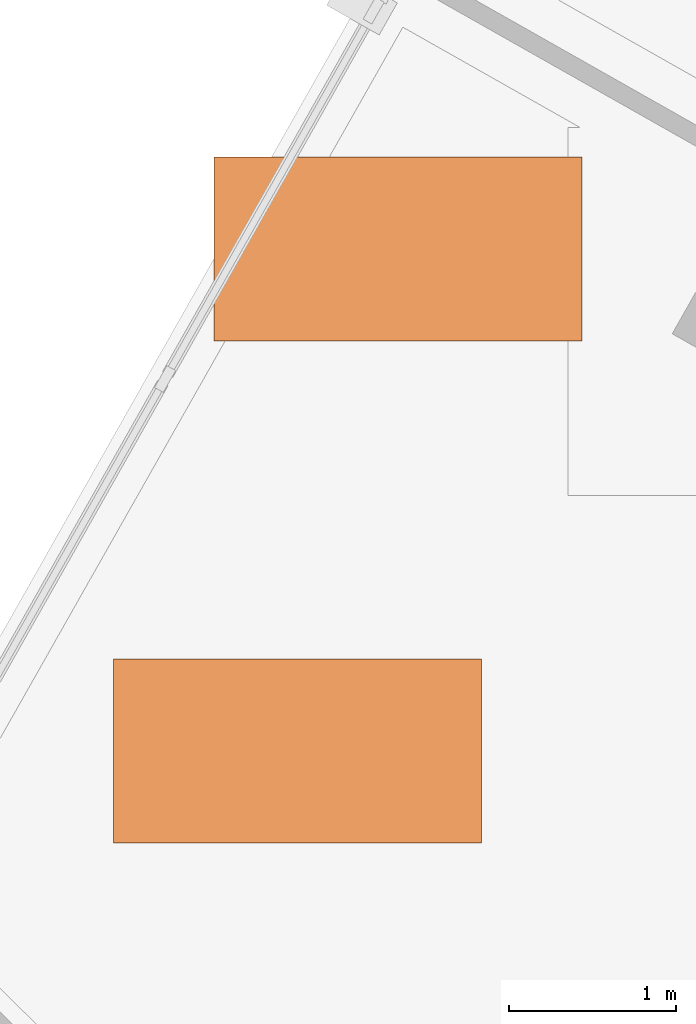
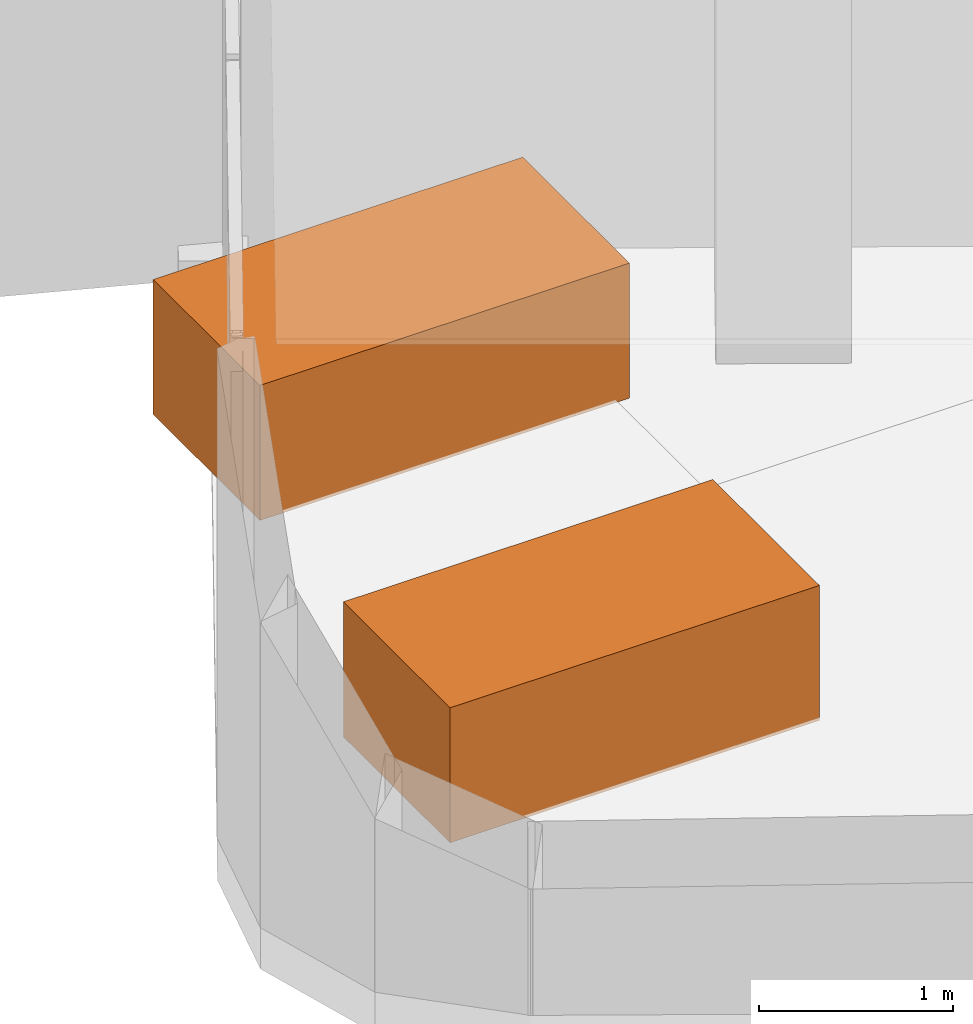
# One storey, part 11 of 11: 2 proxies.
"""IFC4 building model written with IfcOpenShell, lengths in metres."""

from ifc_helpers import new_model, si_unit, direction, frame, origin, origin_2d, place, context, subcontext, project, spatial, rectangle, extrude, material, type_object, element, save


model = new_model("IFC4")

# Units and contexts
model_context = context("Model", 3, precision=1e-05, world=origin(), true_north=direction((0.0, 1.0)))
body_context = subcontext(model_context, "Body", "Model", "MODEL_VIEW")
ifc_project = project(units=[si_unit("LENGTHUNIT", "METRE"), si_unit("AREAUNIT", "SQUARE_METRE"), si_unit("VOLUMEUNIT", "CUBIC_METRE"), si_unit("PLANEANGLEUNIT", "RADIAN"), si_unit("MASSUNIT", "GRAM", prefix="KILO")], contexts=[model_context])

# Site, building, storey
site_placement = place(None, origin())
site = spatial("IfcSite", under=ifc_project, at=site_placement, CompositionType="ELEMENT")
building_placement = place(site_placement, origin())
building = spatial("IfcBuilding", under=site, at=building_placement, Name="Solmarez Civic Tower", CompositionType="ELEMENT")
storey_placement = place(building_placement, frame((0.0, 0.0, 281.699951171875)))
storey = spatial("IfcBuildingStorey", under=building, at=storey_placement, Name="L76", CompositionType="ELEMENT", Elevation=281.699951171875)

# Proxies
ifc_material = material(Name="Precast concrete C40/50", Category="concrete")
building_element_proxy_type = type_object("IfcBuildingElementProxyType", Name="PROXY-PLANTER-RC", PredefinedType="USERDEFINED", material=ifc_material)
for number, where, z_axis, x_axis, name in (
    (1, (-16.699951171875, 8.39990234375, 0.0), (0.0, 0.0, 1.0), (1.0, 0.0, 0.0), "L76 Setback Terrace Structural Planter W1"),
    (2, (-17.300048828125, 5.39990234375, 0.0), (0.0, 0.0, 1.0), (1.0, 0.0, 0.0), "L76 Setback Terrace Structural Planter W2"),
):
    element("IfcBuildingElementProxy", number, at=place(storey_placement, frame(where, z_axis=z_axis, x_axis=x_axis)), inside=storey, type_object=building_element_proxy_type, Name=name, ObjectType="PLANTER", PredefinedType="USERDEFINED", context=body_context, shape_type="SweptSolid", body=[
        extrude(rectangle(XDim=2.199951171875, YDim=1.10009765625, at=origin_2d()), origin(), (0.0, 0.0, 1.0), 0.85009765625),
    ])

save(model, "model.ifc")
